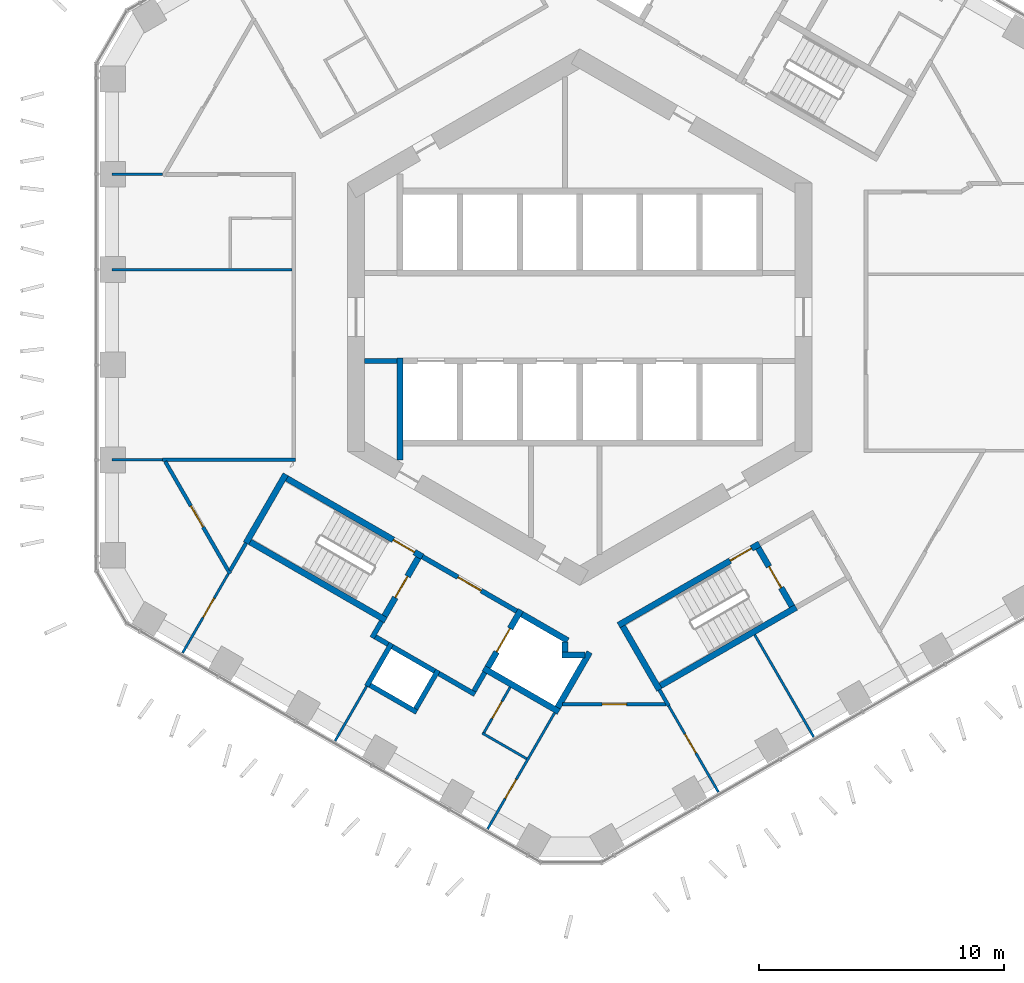
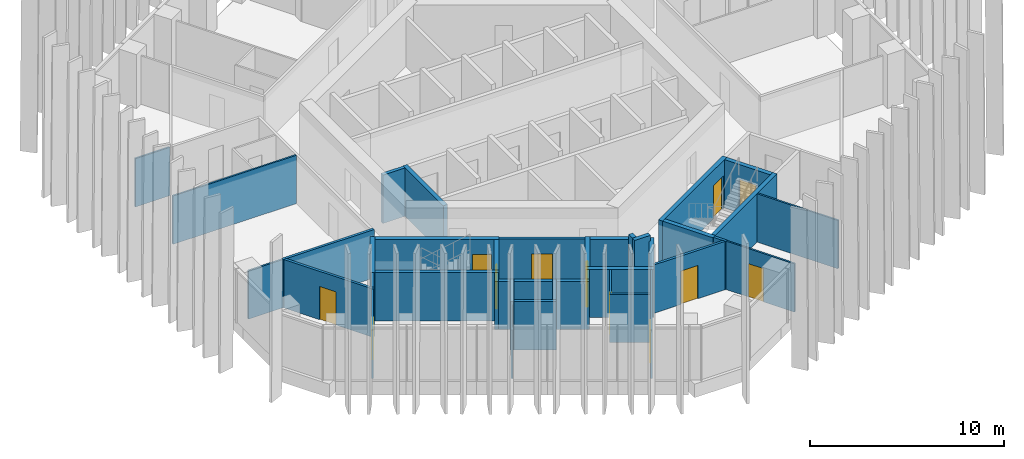
# One storey, part 12 of 19: 40 walls, 12 doors, 12 openings.
"""IFC4 building model written with IfcOpenShell, lengths in metres."""

import ifcopenshell
import ifcopenshell.guid

model = None  # the IFC model being written
_history = None  # IfcOwnerHistory: only IFC2X3 demands one
_inside = {}  # id of a spatial element -> (the spatial element, [elements in it])
_under = {}  # id of a project, library or spatial element -> (it, [spatial elements below it])
_declared = {}  # id of a project -> (the project, [libraries it declares])
_typed = {}  # id of a type object -> (the type object, [elements of that type])
_made_of = {}  # id of a material, layer set ... -> (it, [elements and type objects made of it])


def new_model(schema):
    """Start an empty IFC model of exactly this schema.

    Asked for "IFC4X3", IfcOpenShell would pick the latest addendum, in which some entities
    have other attributes; the version numbers below select the first issue.
    IFC2X3 requires an IfcOwnerHistory on every rooted entity: one is made here for all.
    """
    global model, _history
    if schema == "IFC4X3":
        model = ifcopenshell.file(schema_version=(4, 3, 0, 0))
    else:
        model = ifcopenshell.file(schema=schema)
    _inside.clear()
    _under.clear()
    _declared.clear()
    _typed.clear()
    _made_of.clear()
    _history = None
    if model.schema == "IFC2X3":
        org = make("IfcOrganization", Name="unknown")
        user = make(
            "IfcPersonAndOrganization",
            ThePerson=make("IfcPerson", FamilyName="unknown"),
            TheOrganization=org,
        )
        app = make(
            "IfcApplication",
            ApplicationDeveloper=org,
            Version="unknown",
            ApplicationFullName="unknown",
            ApplicationIdentifier="unknown",
        )
        _history = make(
            "IfcOwnerHistory",
            OwningUser=user,
            OwningApplication=app,
            ChangeAction="ADDED",
            CreationDate=0,
        )
    return model


def make(cls, **values):
    """One entity of the class cls with the attributes given. An attribute that is None is left unset."""
    return model.create_entity(
        cls, **{name: value for name, value in values.items() if value is not None}
    )


def rooted(cls, **values):
    """An entity with a GlobalId (a new one), such as an element, a storey or a relation."""
    return make(cls, GlobalId=ifcopenshell.guid.new(), OwnerHistory=_history, **values)


def si_unit(unit_type, name, prefix=None):
    """IfcSIUnit, for example si_unit("LENGTHUNIT", "METRE", prefix="MILLI")."""
    return make("IfcSIUnit", UnitType=unit_type, Prefix=prefix, Name=name)


def assignment(units):
    """IfcUnitAssignment: the units of a project."""
    return None if units is None else make("IfcUnitAssignment", Units=units)


def point(xyz):
    """IfcCartesianPoint."""
    return None if xyz is None else make("IfcCartesianPoint", Coordinates=xyz)


def direction(xyz):
    """IfcDirection."""
    return None if xyz is None else make("IfcDirection", DirectionRatios=xyz)


def frame(location, z_axis=None, x_axis=None):
    """IfcAxis2Placement3D, a coordinate frame: its origin and axes. An axis left out is left unset."""
    return make(
        "IfcAxis2Placement3D",
        Location=point(location),
        Axis=direction(z_axis),
        RefDirection=direction(x_axis),
    )


def frame_2d(location, x_axis=None):
    """IfcAxis2Placement2D, a coordinate frame in the plane: its origin and x axis."""
    return make(
        "IfcAxis2Placement2D", Location=point(location), RefDirection=direction(x_axis)
    )


def origin():
    """The frame at (0, 0, 0) with its axes left unset."""
    return frame((0.0, 0.0, 0.0))


def place(relative_to, where):
    """IfcLocalPlacement: puts the frame where relative to a parent placement (None: the world)."""
    return make(
        "IfcLocalPlacement", PlacementRelTo=relative_to, RelativePlacement=where
    )


def context(
    kind, dimensions, precision=None, world=None, true_north=None, identifier=None
):
    """IfcGeometricRepresentationContext, for example the 3D "Model" context."""
    return make(
        "IfcGeometricRepresentationContext",
        ContextIdentifier=identifier,
        ContextType=kind,
        CoordinateSpaceDimension=dimensions,
        Precision=precision,
        WorldCoordinateSystem=world,
        TrueNorth=true_north,
    )


def subcontext(parent, identifier, kind, view, scale=None):
    """IfcGeometricRepresentationSubContext, for example "Body" below "Model"."""
    return make(
        "IfcGeometricRepresentationSubContext",
        ContextIdentifier=identifier,
        ContextType=kind,
        ParentContext=parent,
        TargetScale=scale,
        TargetView=view,
    )


def project(units=None, contexts=None):
    """IfcProject with its units and contexts."""
    return rooted(
        "IfcProject",
        Name="project",
        RepresentationContexts=contexts,
        UnitsInContext=assignment(units),
    )


def spatial(cls, under=None, at=None, **own):
    """A site, building, storey or space (cls), placed at a placement, below another one or the project."""
    s = rooted(cls, ObjectPlacement=at, **own)
    if under is not None:
        _under.setdefault(under.id(), (under, []))[1].append(s)
    return s


def profile(cls, at=None, kind="AREA", **sizes):
    """A parametric profile (cls). Its sizes go by their IFC names, for example OverallWidth=200.0."""
    return make(cls, ProfileType=kind, Position=at, **sizes)


def rectangle(**sizes):
    """IfcRectangleProfileDef."""
    return profile("IfcRectangleProfileDef", **sizes)


def extrude(swept, where, along, depth):
    """IfcExtrudedAreaSolid: the profile swept, set in the frame where, extruded along a direction by depth."""
    return make(
        "IfcExtrudedAreaSolid",
        SweptArea=swept,
        Position=where,
        ExtrudedDirection=direction(along),
        Depth=depth,
    )


def shape(context_of_items, identifier, shape_type, items):
    """IfcShapeRepresentation: the items that make up one representation, for example the "Body"."""
    return make(
        "IfcShapeRepresentation",
        ContextOfItems=context_of_items,
        RepresentationIdentifier=identifier,
        RepresentationType=shape_type,
        Items=items,
    )


def material(Name=None, Category=None):
    """IfcMaterial."""
    return make("IfcMaterial", Name=Name, Category=Category)


def layer(
    of_material, thickness, ventilated=None, Name=None, Category=None, Priority=None
):
    """IfcMaterialLayer: one layer of a wall or slab, of a material (None: an air gap)."""
    return make(
        "IfcMaterialLayer",
        Material=of_material,
        LayerThickness=thickness,
        IsVentilated=ventilated,
        Name=Name,
        Category=Category,
        Priority=Priority,
    )


def layer_set(layers, Name=None):
    """IfcMaterialLayerSet."""
    return make("IfcMaterialLayerSet", MaterialLayers=layers, LayerSetName=Name)


def made_of(thing, what):
    """Note that an element or type object is made of a material, layer set ...; save() writes the relation."""
    if what is not None:
        _made_of.setdefault(what.id(), (what, []))[1].append(thing)
    return thing


def type_object(cls, material=None, **own):
    """A type object (cls), such as IfcWallType, which elements share."""
    return made_of(rooted(cls, **own), material)


def element(
    cls,
    number,
    at=None,
    inside=None,
    cuts=None,
    type_object=None,
    material=None,
    context=None,
    identifier="Body",
    shape_type=None,
    held_by="IfcProductDefinitionShape",
    body=None,
    shapes=None,
    **own,
):
    """One element of the class cls, such as IfcWall. Its Tag is "e" and its number.

    at: its placement. inside: the storey or other place that contains it. cuts: it is an
    opening in that element (IfcRelVoidsElement). A single representation is given by context,
    identifier, shape_type and body (its items); several are given by shapes. held_by: the class
    of the entity that holds the representations. save() writes the other relations.
    """
    e = rooted(cls, Tag="e%d" % number, ObjectPlacement=at, **own)
    if body is not None:
        shapes = [shape(context, identifier, shape_type, body)]
    if shapes is not None:
        e.Representation = make(held_by, Representations=shapes)
    if inside is not None:
        _inside.setdefault(inside.id(), (inside, []))[1].append(e)
    if cuts is not None:
        rooted(
            "IfcRelVoidsElement", RelatingBuildingElement=cuts, RelatedOpeningElement=e
        )
    if type_object is not None:
        _typed.setdefault(type_object.id(), (type_object, []))[1].append(e)
    return made_of(e, material)


def fill(opening, filler):
    """IfcRelFillsElement: the door or window that sits in an opening."""
    return rooted(
        "IfcRelFillsElement",
        RelatingOpeningElement=opening,
        RelatedBuildingElement=filler,
    )


def aggregate(whole, parts):
    """IfcRelAggregates: a whole, such as a stair, and the parts it consists of."""
    return rooted("IfcRelAggregates", RelatingObject=whole, RelatedObjects=parts)


def save(model, path):
    """Write the relations noted so far, then the file.

    IfcRelAggregates (storeys below a building ...), IfcRelContainedInSpatialStructure (elements
    in a storey), IfcRelDefinesByType, IfcRelAssociatesMaterial and IfcRelDeclares: one each for
    every whole, place, type object, material and project.
    """
    for whole, parts in _under.values():
        aggregate(whole, parts)
    for where, things in _inside.values():
        rooted(
            "IfcRelContainedInSpatialStructure",
            RelatedElements=things,
            RelatingStructure=where,
        )
    for kind, things in _typed.values():
        rooted("IfcRelDefinesByType", RelatedObjects=things, RelatingType=kind)
    for what, things in _made_of.values():
        rooted("IfcRelAssociatesMaterial", RelatedObjects=things, RelatingMaterial=what)
    for by, libraries in _declared.values():
        rooted("IfcRelDeclares", RelatingContext=by, RelatedDefinitions=libraries)
    model.write(path)


model = new_model("IFC4")

# Units and contexts
model_context = context("Model", 3, precision=1e-05, world=origin(), true_north=direction((0.0, 1.0)))
body_context = subcontext(model_context, "Body", "Model", "MODEL_VIEW")
ifc_project = project(units=[si_unit("LENGTHUNIT", "METRE"), si_unit("AREAUNIT", "SQUARE_METRE"), si_unit("VOLUMEUNIT", "CUBIC_METRE"), si_unit("PLANEANGLEUNIT", "RADIAN"), si_unit("MASSUNIT", "GRAM", prefix="KILO")], contexts=[model_context])

# Site, building, storey
site_placement = place(None, origin())
site = spatial("IfcSite", under=ifc_project, at=site_placement, CompositionType="ELEMENT")
building_placement = place(site_placement, origin())
building = spatial("IfcBuilding", under=site, at=building_placement, Name="Ayvan Gate Tower", CompositionType="ELEMENT")
storey_placement = place(building_placement, frame((0.0, 0.0, 103.5)))
storey = spatial("IfcBuildingStorey", under=building, at=storey_placement, Name="L27", CompositionType="ELEMENT", Elevation=103.5)

# Wall
ifc_material_1 = material(Name="Plasterboard on steel stud", Category="steel")
ifc_layer_1 = layer(ifc_material_1, 0.14990234375)
ifc_layer_set_1 = layer_set([ifc_layer_1], Name="Plasterboard on steel stud")
wall_type_1 = type_object("IfcWallType", Name="WT-CORR-150", PredefinedType="PARTITIONING", material=ifc_layer_set_1)
wall_1_placement = place(storey_placement, frame((-17.064453125, -5.833984375, 0.0), z_axis=(0.0, 0.0, 1.0), x_axis=(1.0, 0.0, 0.0)))
element("IfcWall", 1, at=wall_1_placement, inside=storey, type_object=wall_type_1, Name="IW-L27-000", PredefinedType="PARTITIONING", context=body_context, shape_type="SweptSolid", body=[
    extrude(rectangle(XDim=5.439453125, YDim=0.14990234375, at=frame_2d((2.7197265625, 0.0))), origin(), (0.0, 0.0, 1.0), 3.050048828125),
])

# Wall, opening, door
wall_2_placement = place(storey_placement, frame((-14.29833984375, -10.495361328125, 0.0), z_axis=(0.0, 0.0, 1.0), x_axis=(-0.499993231937, 0.866029311292, 0.0)))
wall_2 = element("IfcWall", 2, at=wall_2_placement, inside=storey, type_object=wall_type_1, Name="IW-L27-005", PredefinedType="PARTITIONING", context=body_context, shape_type="SweptSolid", body=[
    extrude(rectangle(XDim=5.30712890625, YDim=0.14990234375, at=frame_2d((2.653564453125, 0.0))), origin(), (0.0, 0.0, 1.0), 3.050048828125),
])
opening_1_placement = place(wall_2_placement, frame((2.20849609375, 0.0, 0.0)))
opening_1 = element("IfcOpeningElement", 3, at=opening_1_placement, cuts=wall_2, Name="Opening L27-D28", PredefinedType="OPENING", context=body_context, shape_type="SweptSolid", body=[
    extrude(rectangle(XDim=1.0, YDim=2.10009765625, at=frame_2d((0.5, 1.050048828125))), frame((0.0, 0.0849609375, 0.0), z_axis=(0.0, -1.0, 0.0), x_axis=(1.0, 0.0, 0.0)), (0.0, 0.0, 1.0), 0.169921875),
])
ifc_material_2 = material(Name="Timber door leaf", Category="wood")
door_type_1 = type_object("IfcDoorType", Name="DT-1000", OperationType="NOTDEFINED", PredefinedType="DOOR", material=ifc_material_2)
door_1_placement = place(opening_1_placement, origin())
door_1 = element("IfcDoor", 4, at=door_1_placement, inside=storey, type_object=door_type_1, Name="ID-L27-028", OperationType="SINGLE_SWING_LEFT", OverallHeight=2.10009765625, OverallWidth=1.0, PredefinedType="DOOR", context=body_context, shape_type="SweptSolid", body=[
    extrude(rectangle(XDim=1.0, YDim=2.10009765625, at=frame_2d((0.5, 1.050048828125))), frame((0.0, 0.02490234375, 0.0), z_axis=(0.0, -1.0, 0.0), x_axis=(1.0, 0.0, 0.0)), (0.0, 0.0, 1.0), 0.050048828125),
])
fill(opening_1, door_1)

# Walls
wall_3_placement = place(storey_placement, frame((-13.647705078125, -9.23876953125, 0.0), z_axis=(0.0, 0.0, 1.0), x_axis=(-0.500074377092, -0.865982457891, 0.0)))
element("IfcWall", 5, at=wall_3_placement, inside=storey, type_object=wall_type_1, Name="IW-L27-010", PredefinedType="PARTITIONING", context=body_context, shape_type="SweptSolid", body=[
    extrude(rectangle(XDim=1.301025390625, YDim=0.14990234375, at=frame_2d((0.650390625, 0.0))), origin(), (0.0, 0.0, 1.0), 3.050048828125),
])
wall_4_placement = place(storey_placement, frame((3.255615234375, -15.23876953125, 0.0), z_axis=(0.0, 0.0, 1.0), x_axis=(0.49988045057, -0.866094414679, 0.0)))
element("IfcWall", 6, at=wall_4_placement, inside=storey, type_object=wall_type_1, Name="IW-L27-072", PredefinedType="PARTITIONING", context=body_context, shape_type="SweptSolid", body=[
    extrude(rectangle(XDim=0.758056640625, YDim=0.14990234375, at=frame_2d((0.37890625, 0.0))), origin(), (0.0, 0.0, 1.0), 3.050048828125),
])

# Wall, opening, door
wall_5_placement = place(storey_placement, frame((3.522216796875, -15.830322265625, 0.0), z_axis=(0.0, 0.0, 1.0), x_axis=(-1.0, 0.0, 0.0)))
wall_5 = element("IfcWall", 7, at=wall_5_placement, inside=storey, type_object=wall_type_1, Name="IW-L27-075", PredefinedType="PARTITIONING", context=body_context, shape_type="SweptSolid", body=[
    extrude(rectangle(XDim=4.222900390625, YDim=0.14990234375, at=frame_2d((2.111328125, 0.0))), origin(), (0.0, 0.0, 1.0), 3.050048828125),
])
opening_2_placement = place(wall_5_placement, frame((1.611328125, 0.0, 0.0)))
opening_2 = element("IfcOpeningElement", 8, at=opening_2_placement, cuts=wall_5, Name="Opening L27-D30", PredefinedType="OPENING", context=body_context, shape_type="SweptSolid", body=[
    extrude(rectangle(XDim=1.0, YDim=2.10009765625, at=frame_2d((0.5, 1.050048828125))), frame((0.0, 0.0849609375, 0.0), z_axis=(0.0, -1.0, 0.0), x_axis=(1.0, 0.0, 0.0)), (0.0, 0.0, 1.0), 0.169921875),
])
door_2_placement = place(opening_2_placement, origin())
door_2 = element("IfcDoor", 9, at=door_2_placement, inside=storey, type_object=door_type_1, Name="ID-L27-030", OperationType="SINGLE_SWING_LEFT", OverallHeight=2.10009765625, OverallWidth=1.0, PredefinedType="DOOR", context=body_context, shape_type="SweptSolid", body=[
    extrude(rectangle(XDim=1.0, YDim=2.10009765625, at=frame_2d((0.5, 1.050048828125))), frame((0.0, 0.02490234375, 0.0), z_axis=(0.0, -1.0, 0.0), x_axis=(1.0, 0.0, 0.0)), (0.0, 0.0, 1.0), 0.050048828125),
])
fill(opening_2, door_2)

# Walls
ifc_layer_2 = layer(ifc_material_1, 0.10009765625)
ifc_layer_set_2 = layer_set([ifc_layer_2], Name="Plasterboard on steel stud")
wall_type_2 = type_object("IfcWallType", Name="WT-PART-100", PredefinedType="PARTITIONING", material=ifc_layer_set_2)
wall_6_placement = place(storey_placement, frame((-17.064453125, 5.833984375, 0.0), z_axis=(0.0, 0.0, 1.0), x_axis=(-1.0, 0.0, 0.0)))
element("IfcWall", 10, at=wall_6_placement, inside=storey, type_object=wall_type_2, Name="IW-L27-001", PredefinedType="PARTITIONING", context=body_context, shape_type="SweptSolid", body=[
    extrude(rectangle(XDim=2.06494140625, YDim=0.10009765625, at=frame_2d((1.032470703125, 0.0))), origin(), (0.0, 0.0, 1.0), 3.050048828125),
])
wall_7_placement = place(storey_placement, frame((-17.064208984375, -5.833984375, 0.0), z_axis=(0.0, 0.0, 1.0), x_axis=(-1.0, 0.0, 0.0)))
element("IfcWall", 11, at=wall_7_placement, inside=storey, type_object=wall_type_2, Name="IW-L27-003", PredefinedType="PARTITIONING", context=body_context, shape_type="SweptSolid", body=[
    extrude(rectangle(XDim=2.065185546875, YDim=0.10009765625, at=frame_2d((1.03271484375, 0.0))), origin(), (0.0, 0.0, 1.0), 3.050048828125),
])

# Wall, opening, door
wall_8_placement = place(storey_placement, frame((-14.373291015625, -10.495361328125, 0.0), z_axis=(0.0, 0.0, 1.0), x_axis=(-0.500017007625, -0.866015584205, 0.0)))
wall_8 = element("IfcWall", 12, at=wall_8_placement, inside=storey, type_object=wall_type_2, Name="IW-L27-006", PredefinedType="PARTITIONING", context=body_context, shape_type="SweptSolid", body=[
    extrude(rectangle(XDim=3.730712890625, YDim=0.10009765625, at=frame_2d((1.865234375, 0.0))), origin(), (0.0, 0.0, 1.0), 3.050048828125),
])
opening_3_placement = place(wall_8_placement, frame((1.15478515625, 0.0, 0.0)))
opening_3 = element("IfcOpeningElement", 13, at=opening_3_placement, cuts=wall_8, Name="Opening L27-D29", PredefinedType="OPENING", context=body_context, shape_type="SweptSolid", body=[
    extrude(rectangle(XDim=0.89990234375, YDim=2.10009765625, at=frame_2d((0.449951171875, 1.050048828125))), frame((0.0, 0.06005859375, 0.0), z_axis=(0.0, -1.0, 0.0), x_axis=(1.0, 0.0, 0.0)), (0.0, 0.0, 1.0), 0.1201171875),
])
door_type_2 = type_object("IfcDoorType", Name="DT-900", OperationType="NOTDEFINED", PredefinedType="DOOR", material=ifc_material_2)
door_3_placement = place(opening_3_placement, origin())
door_3 = element("IfcDoor", 14, at=door_3_placement, inside=storey, type_object=door_type_2, Name="ID-L27-029", OperationType="SINGLE_SWING_RIGHT", OverallHeight=2.10009765625, OverallWidth=0.89990234375, PredefinedType="DOOR", context=body_context, shape_type="SweptSolid", body=[
    extrude(rectangle(XDim=0.89990234375, YDim=2.10009765625, at=frame_2d((0.449951171875, 1.050048828125))), frame((0.0, 0.02490234375, 0.0), z_axis=(0.0, -1.0, 0.0), x_axis=(1.0, 0.0, 0.0)), (0.0, 0.0, 1.0), 0.050048828125),
])
fill(opening_3, door_3)

# Walls
wall_9_placement = place(storey_placement, frame((-19.12939453125, 1.944580078125, 0.0), z_axis=(0.0, 0.0, 1.0), x_axis=(1.0, 0.0, 0.0)))
element("IfcWall", 15, at=wall_9_placement, inside=storey, type_object=wall_type_2, Name="IW-L27-007", PredefinedType="PARTITIONING", context=body_context, shape_type="SweptSolid", body=[
    extrude(rectangle(XDim=7.3544921875, YDim=0.10009765625, at=frame_2d((3.67724609375, 0.0))), origin(), (0.0, 0.0, 1.0), 3.050048828125),
])
wall_10_placement = place(storey_placement, frame((-8.711181640625, -15.088134765625, 0.0), z_axis=(0.0, 0.0, 1.0), x_axis=(-0.500030472146, -0.866007809968, 0.0)))
element("IfcWall", 16, at=wall_10_placement, inside=storey, type_object=wall_type_2, Name="IW-L27-022", PredefinedType="PARTITIONING", context=body_context, shape_type="SweptSolid", body=[
    extrude(rectangle(XDim=2.584228515625, YDim=0.10009765625, at=frame_2d((1.2919921875, 0.0))), origin(), (0.0, 0.0, 1.0), 3.050048828125),
])
wall_11_placement = place(storey_placement, frame((-3.98779296875, -17.007080078125, 0.0), z_axis=(0.0, 0.0, 1.0), x_axis=(0.866059744384, -0.49994051562, 0.0)))
element("IfcWall", 17, at=wall_11_placement, inside=storey, type_object=wall_type_2, Name="IW-L27-041", PredefinedType="PARTITIONING", context=body_context, shape_type="SweptSolid", body=[
    extrude(rectangle(XDim=2.099853515625, YDim=0.10009765625, at=frame_2d((1.0498046875, 0.0))), origin(), (0.0, 0.0, 1.0), 3.050048828125),
])

# Wall, opening, door
wall_12_placement = place(storey_placement, frame((-3.767822265625, -20.92626953125, 0.0), z_axis=(0.0, 0.0, 1.0), x_axis=(0.499980760091, 0.866036511666, 0.0)))
wall_12 = element("IfcWall", 18, at=wall_12_placement, inside=storey, type_object=wall_type_2, Name="IW-L27-043", PredefinedType="PARTITIONING", context=body_context, shape_type="SweptSolid", body=[
    extrude(rectangle(XDim=5.481689453125, YDim=0.10009765625, at=frame_2d((2.74072265625, 0.0))), origin(), (0.0, 0.0, 1.0), 3.050048828125),
])
opening_4_placement = place(wall_12_placement, frame((1.4375, 0.0, 0.0)))
opening_4 = element("IfcOpeningElement", 19, at=opening_4_placement, cuts=wall_12, Name="Opening L27-D31", PredefinedType="OPENING", context=body_context, shape_type="SweptSolid", body=[
    extrude(rectangle(XDim=0.89990234375, YDim=2.10009765625, at=frame_2d((0.449951171875, 1.050048828125))), frame((0.0, 0.06005859375, 0.0), z_axis=(0.0, -1.0, 0.0), x_axis=(1.0, 0.0, 0.0)), (0.0, 0.0, 1.0), 0.1201171875),
])
door_4_placement = place(opening_4_placement, origin())
door_4 = element("IfcDoor", 20, at=door_4_placement, inside=storey, type_object=door_type_2, Name="ID-L27-031", OperationType="SINGLE_SWING_RIGHT", OverallHeight=2.10009765625, OverallWidth=0.89990234375, PredefinedType="DOOR", context=body_context, shape_type="SweptSolid", body=[
    extrude(rectangle(XDim=0.89990234375, YDim=2.10009765625, at=frame_2d((0.449951171875, 1.050048828125))), frame((0.0, 0.02490234375, 0.0), z_axis=(0.0, -1.0, 0.0), x_axis=(1.0, 0.0, 0.0)), (0.0, 0.0, 1.0), 0.050048828125),
])
fill(opening_4, door_4)

wall_13_placement = place(storey_placement, frame((-2.845703125, -15.12890625, 0.0), z_axis=(0.0, 0.0, 1.0), x_axis=(-0.499978313311, -0.866037924238, 0.0)))
wall_13 = element("IfcWall", 21, at=wall_13_placement, inside=storey, type_object=wall_type_2, Name="IW-L27-047", PredefinedType="PARTITIONING", context=body_context, shape_type="SweptSolid", body=[
    extrude(rectangle(XDim=2.1474609375, YDim=0.10009765625, at=frame_2d((1.07373046875, 0.0))), origin(), (0.0, 0.0, 1.0), 3.050048828125),
])
opening_5_placement = place(wall_13_placement, frame((0.673583984375, 0.0, 0.0)))
opening_5 = element("IfcOpeningElement", 22, at=opening_5_placement, cuts=wall_13, Name="Opening L27-D32", PredefinedType="OPENING", context=body_context, shape_type="SweptSolid", body=[
    extrude(rectangle(XDim=0.800048828125, YDim=2.10009765625, at=frame_2d((0.39990234375, 1.050048828125))), frame((0.0, 0.06005859375, 0.0), z_axis=(0.0, -1.0, 0.0), x_axis=(1.0, 0.0, 0.0)), (0.0, 0.0, 1.0), 0.1201171875),
])
door_type_3 = type_object("IfcDoorType", Name="DT-800", OperationType="NOTDEFINED", PredefinedType="DOOR", material=ifc_material_2)
door_5_placement = place(opening_5_placement, origin())
door_5 = element("IfcDoor", 23, at=door_5_placement, inside=storey, type_object=door_type_3, Name="ID-L27-032", OperationType="SINGLE_SWING_LEFT", OverallHeight=2.10009765625, OverallWidth=0.800048828125, PredefinedType="DOOR", context=body_context, shape_type="SweptSolid", body=[
    extrude(rectangle(XDim=0.800048828125, YDim=2.10009765625, at=frame_2d((0.39990234375, 1.050048828125))), frame((0.0, 0.02490234375, 0.0), z_axis=(0.0, -1.0, 0.0), x_axis=(1.0, 0.0, 0.0)), (0.0, 0.0, 1.0), 0.050048828125),
])
fill(opening_5, door_5)

wall_14_placement = place(storey_placement, frame((3.634521484375, -15.895263671875, 0.0), z_axis=(0.0, 0.0, 1.0), x_axis=(0.499999564052, -0.866025655479, 0.0)))
wall_14 = element("IfcWall", 24, at=wall_14_placement, inside=storey, type_object=wall_type_2, Name="IW-L27-076", PredefinedType="PARTITIONING", context=body_context, shape_type="SweptSolid", body=[
    extrude(rectangle(XDim=4.0673828125, YDim=0.10009765625, at=frame_2d((2.03369140625, 0.0))), origin(), (0.0, 0.0, 1.0), 3.050048828125),
])
opening_6_placement = place(wall_14_placement, frame((1.3232421875, 0.0, 0.0)))
opening_6 = element("IfcOpeningElement", 25, at=opening_6_placement, cuts=wall_14, Name="Opening L27-D33", PredefinedType="OPENING", context=body_context, shape_type="SweptSolid", body=[
    extrude(rectangle(XDim=0.89990234375, YDim=2.10009765625, at=frame_2d((0.449951171875, 1.050048828125))), frame((0.0, 0.06005859375, 0.0), z_axis=(0.0, -1.0, 0.0), x_axis=(1.0, 0.0, 0.0)), (0.0, 0.0, 1.0), 0.1201171875),
])
door_6_placement = place(opening_6_placement, origin())
door_6 = element("IfcDoor", 26, at=door_6_placement, inside=storey, type_object=door_type_2, Name="ID-L27-033", OperationType="SINGLE_SWING_RIGHT", OverallHeight=2.10009765625, OverallWidth=0.89990234375, PredefinedType="DOOR", context=body_context, shape_type="SweptSolid", body=[
    extrude(rectangle(XDim=0.89990234375, YDim=2.10009765625, at=frame_2d((0.449951171875, 1.050048828125))), frame((0.0, 0.02490234375, 0.0), z_axis=(0.0, -1.0, 0.0), x_axis=(1.0, 0.0, 0.0)), (0.0, 0.0, 1.0), 0.050048828125),
])
fill(opening_6, door_6)

# Walls
wall_15_placement = place(storey_placement, frame((7.152587890625, -12.98876953125, 0.0), z_axis=(0.0, 0.0, 1.0), x_axis=(0.500018799623, -0.866014549545, 0.0)))
element("IfcWall", 27, at=wall_15_placement, inside=storey, type_object=wall_type_2, Name="IW-L27-083", PredefinedType="PARTITIONING", context=body_context, shape_type="SweptSolid", body=[
    extrude(rectangle(XDim=4.825439453125, YDim=0.10009765625, at=frame_2d((2.41259765625, 0.0))), origin(), (0.0, 0.0, 1.0), 3.050048828125),
])
ifc_layer_3 = layer(ifc_material_1, 0.199951171875)
ifc_layer_set_3 = layer_set([ifc_layer_3], Name="Plasterboard on steel stud")
wall_type_3 = type_object("IfcWallType", Name="WT-PLUMB-200", PredefinedType="PLUMBINGWALL", material=ifc_layer_set_3)
wall_16_placement = place(storey_placement, frame((-8.711181640625, -15.088134765625, 0.0), z_axis=(0.0, 0.0, 1.0), x_axis=(0.500060350025, 0.865990557877, 0.0)))
element("IfcWall", 28, at=wall_16_placement, inside=storey, type_object=wall_type_3, Name="IW-L27-021", PredefinedType="PLUMBINGWALL", context=body_context, shape_type="SweptSolid", body=[
    extrude(rectangle(XDim=2.022216796875, YDim=0.199951171875, at=frame_2d((1.01123046875, 0.0))), origin(), (0.0, 0.0, 1.0), 3.050048828125),
])
wall_17_placement = place(storey_placement, frame((-6.669189453125, -16.151611328125, 0.0), z_axis=(0.0, 0.0, 1.0), x_axis=(-0.866035918664, 0.499981787252, 0.0)))
element("IfcWall", 29, at=wall_17_placement, inside=storey, type_object=wall_type_3, Name="IW-L27-031", PredefinedType="PLUMBINGWALL", context=body_context, shape_type="SweptSolid", body=[
    extrude(rectangle(XDim=2.2001953125, YDim=0.199951171875, at=frame_2d((1.10009765625, 0.0))), origin(), (0.0, 0.0, 1.0), 3.050048828125),
])
wall_18_placement = place(storey_placement, frame((-5.794677734375, -14.436767578125, 0.0), z_axis=(0.0, 0.0, 1.0), x_axis=(-0.500000789788, -0.8660249478, 0.0)))
element("IfcWall", 30, at=wall_18_placement, inside=storey, type_object=wall_type_3, Name="IW-L27-034", PredefinedType="PLUMBINGWALL", context=body_context, shape_type="SweptSolid", body=[
    extrude(rectangle(XDim=1.822265625, YDim=0.199951171875, at=frame_2d((0.9111328125, 0.0))), origin(), (0.0, 0.0, 1.0), 3.050048828125),
])
wall_19_placement = place(storey_placement, frame((-5.931396484375, -14.473388671875, 0.0), z_axis=(0.0, 0.0, 1.0), x_axis=(-0.866041268327, 0.499972520799, 0.0)))
element("IfcWall", 31, at=wall_19_placement, inside=storey, type_object=wall_type_3, Name="IW-L27-035", PredefinedType="PLUMBINGWALL", context=body_context, shape_type="SweptSolid", body=[
    extrude(rectangle(XDim=2.0, YDim=0.199951171875, at=frame_2d((1.0, 0.0))), origin(), (0.0, 0.0, 1.0), 3.050048828125),
])
ifc_layer_4 = layer(ifc_material_1, 0.199951171875)
ifc_layer_set_4 = layer_set([ifc_layer_4], Name="Plasterboard on steel stud")
wall_type_4 = type_object("IfcWallType", Name="WT-RATED-200", PredefinedType="PARTITIONING", material=ifc_layer_set_4)
wall_20_placement = place(storey_placement, frame((-8.492919921875, -13.110107421875, 0.0), z_axis=(0.0, 0.0, 1.0), x_axis=(0.500067724834, 0.865986299303, 0.0)))
element("IfcWall", 32, at=wall_20_placement, inside=storey, type_object=wall_type_4, Name="IW-L27-023", PredefinedType="PARTITIONING", context=body_context, shape_type="SweptSolid", body=[
    extrude(rectangle(XDim=0.775390625, YDim=0.199951171875, at=frame_2d((0.3876953125, 0.0))), origin(), (0.0, 0.0, 1.0), 3.050048828125),
])
wall_21_placement = place(storey_placement, frame((-7.83642578125, -13.373291015625, 0.0), z_axis=(0.0, 0.0, 1.0), x_axis=(-0.866232998003, 0.499640263761, 0.0)))
element("IfcWall", 33, at=wall_21_placement, inside=storey, type_object=wall_type_4, Name="IW-L27-025", PredefinedType="PARTITIONING", context=body_context, shape_type="SweptSolid", body=[
    extrude(rectangle(XDim=0.60009765625, YDim=0.199951171875, at=frame_2d((0.300048828125, 0.0))), origin(), (0.0, 0.0, 1.0), 3.050048828125),
])
wall_22_placement = place(storey_placement, frame((-7.474853515625, -1.800048828125, 0.0), z_axis=(0.0, 0.0, 1.0), x_axis=(-1.0, 0.0, 0.0)))
element("IfcWall", 34, at=wall_22_placement, inside=storey, type_object=wall_type_4, Name="IW-L27-030", PredefinedType="PARTITIONING", context=body_context, shape_type="SweptSolid", body=[
    extrude(rectangle(XDim=1.3251953125, YDim=0.199951171875, at=frame_2d((0.66259765625, 0.0))), origin(), (0.0, 0.0, 1.0), 3.050048828125),
])

# Wall, opening, door
wall_23_placement = place(storey_placement, frame((-6.4345703125, -9.794921875, 0.0), z_axis=(0.0, 0.0, 1.0), x_axis=(0.866012907634, -0.500021643343, 0.0)))
wall_23 = element("IfcWall", 35, at=wall_23_placement, inside=storey, type_object=wall_type_4, Name="IW-L27-033", PredefinedType="PARTITIONING", context=body_context, shape_type="SweptSolid", body=[
    extrude(rectangle(XDim=4.449951171875, YDim=0.199951171875, at=frame_2d((2.22509765625, 0.0))), origin(), (0.0, 0.0, 1.0), 3.050048828125),
])
opening_7_placement = place(wall_23_placement, frame((1.675048828125, 0.0, 0.0)))
opening_7 = element("IfcOpeningElement", 36, at=opening_7_placement, cuts=wall_23, Name="Opening L27-D12", PredefinedType="OPENING", context=body_context, shape_type="SweptSolid", body=[
    extrude(rectangle(XDim=1.10009765625, YDim=2.10009765625, at=frame_2d((0.550048828125, 1.050048828125))), frame((0.0, 0.10986328125, 0.0), z_axis=(0.0, -1.0, 0.0), x_axis=(1.0, 0.0, 0.0)), (0.0, 0.0, 1.0), 0.219970703125),
])
door_type_4 = type_object("IfcDoorType", Name="DT-1100", OperationType="NOTDEFINED", PredefinedType="DOOR", material=ifc_material_2)
door_7_placement = place(opening_7_placement, origin())
door_7 = element("IfcDoor", 37, at=door_7_placement, inside=storey, type_object=door_type_4, Name="ID-L27-012", OperationType="SINGLE_SWING_LEFT", OverallHeight=2.10009765625, OverallWidth=1.10009765625, PredefinedType="DOOR", context=body_context, shape_type="SweptSolid", body=[
    extrude(rectangle(XDim=1.10009765625, YDim=2.10009765625, at=frame_2d((0.550048828125, 1.050048828125))), frame((0.0, 0.02490234375, 0.0), z_axis=(0.0, -1.0, 0.0), x_axis=(1.0, 0.0, 0.0)), (0.0, 0.0, 1.0), 0.050048828125),
])
fill(opening_7, door_7)

# Walls
wall_24_placement = place(storey_placement, frame((-4.285888671875, -15.42333984375, 0.0), z_axis=(0.0, 0.0, 1.0), x_axis=(-0.866025371046, 0.500000056704, 0.0)))
element("IfcWall", 38, at=wall_24_placement, inside=storey, type_object=wall_type_4, Name="IW-L27-040", PredefinedType="PARTITIONING", context=body_context, shape_type="SweptSolid", body=[
    extrude(rectangle(XDim=1.7001953125, YDim=0.199951171875, at=frame_2d((0.85009765625, 0.0))), origin(), (0.0, 0.0, 1.0), 3.050048828125),
])
wall_25_placement = place(storey_placement, frame((-3.885009765625, -14.52880859375, 0.0), z_axis=(0.0, 0.0, 1.0), x_axis=(-0.499859285417, -0.866106630146, 0.0)))
element("IfcWall", 39, at=wall_25_placement, inside=storey, type_object=wall_type_4, Name="IW-L27-042", PredefinedType="PARTITIONING", context=body_context, shape_type="SweptSolid", body=[
    extrude(rectangle(XDim=0.875244140625, YDim=0.199951171875, at=frame_2d((0.4375, 0.0))), origin(), (0.0, 0.0, 1.0), 3.050048828125),
])
ifc_material_3 = material(Name="Concrete C50/60", Category="concrete")
ifc_layer_5 = layer(ifc_material_3, 0.25)
ifc_layer_set_5 = layer_set([ifc_layer_5], Name="Concrete C50/60")
wall_type_5 = type_object("IfcWallType", Name="WT-RC-250", PredefinedType="SHEAR", material=ifc_layer_set_5)
wall_26_placement = place(storey_placement, frame((-13.64794921875, -9.23876953125, 0.0), z_axis=(0.0, 0.0, 1.0), x_axis=(0.500017246033, 0.866015446554, 0.0)))
element("IfcWall", 40, at=wall_26_placement, inside=storey, type_object=wall_type_5, Name="IW-L27-009", PredefinedType="SHEAR", context=body_context, shape_type="SweptSolid", body=[
    extrude(rectangle(XDim=3.25, YDim=0.25, at=frame_2d((1.625, 0.0))), origin(), (0.0, 0.0, 1.0), 3.050048828125),
])

# Wall, opening, door
wall_27_placement = place(storey_placement, frame((-11.97705078125, -6.594970703125, 0.0), z_axis=(0.0, 0.0, 1.0), x_axis=(0.866025499775, -0.499999833739, 0.0)))
wall_27 = element("IfcWall", 41, at=wall_27_placement, inside=storey, type_object=wall_type_5, Name="IW-L27-012", PredefinedType="SHEAR", context=body_context, shape_type="SweptSolid", body=[
    extrude(rectangle(XDim=6.39990234375, YDim=0.25, at=frame_2d((3.199951171875, 0.0))), origin(), (0.0, 0.0, 1.0), 3.050048828125),
])
opening_8_placement = place(wall_27_placement, frame((5.02490234375, 0.0, 0.0)))
opening_8 = element("IfcOpeningElement", 42, at=opening_8_placement, cuts=wall_27, Name="Opening L27-D10", PredefinedType="OPENING", context=body_context, shape_type="SweptSolid", body=[
    extrude(rectangle(XDim=1.0, YDim=2.10009765625, at=frame_2d((0.5, 1.050048828125))), frame((0.0, 0.135009765625, 0.0), z_axis=(0.0, -1.0, 0.0), x_axis=(1.0, 0.0, 0.0)), (0.0, 0.0, 1.0), 0.27001953125),
])
door_8_placement = place(opening_8_placement, origin())
door_8 = element("IfcDoor", 43, at=door_8_placement, inside=storey, type_object=door_type_1, Name="ID-L27-010", OperationType="SINGLE_SWING_LEFT", OverallHeight=2.10009765625, OverallWidth=1.0, PredefinedType="DOOR", context=body_context, shape_type="SweptSolid", body=[
    extrude(rectangle(XDim=1.0, YDim=2.10009765625, at=frame_2d((0.5, 1.050048828125))), frame((0.0, 0.02490234375, 0.0), z_axis=(0.0, -1.0, 0.0), x_axis=(1.0, 0.0, 0.0)), (0.0, 0.0, 1.0), 0.050048828125),
])
fill(opening_8, door_8)

# Walls
wall_28_placement = place(storey_placement, frame((-7.9345703125, -12.39306640625, 0.0), z_axis=(0.0, 0.0, 1.0), x_axis=(-0.866025499775, 0.499999833739, 0.0)))
element("IfcWall", 44, at=wall_28_placement, inside=storey, type_object=wall_type_5, Name="IW-L27-024", PredefinedType="SHEAR", context=body_context, shape_type="SweptSolid", body=[
    extrude(rectangle(XDim=6.39990234375, YDim=0.25, at=frame_2d((3.199951171875, 0.0))), origin(), (0.0, 0.0, 1.0), 3.050048828125),
])
wall_29_placement = place(storey_placement, frame((-7.35009765625, -5.845703125, 0.0), z_axis=(0.0, 0.0, 1.0), x_axis=(0.0, 1.0, 0.0)))
element("IfcWall", 45, at=wall_29_placement, inside=storey, type_object=wall_type_5, Name="IW-L27-027", PredefinedType="SHEAR", context=body_context, shape_type="SweptSolid", body=[
    extrude(rectangle(XDim=4.170654296875, YDim=0.25, at=frame_2d((2.08544921875, 0.0))), origin(), (0.0, 0.0, 1.0), 3.050048828125),
])

# Wall, opening, door
wall_30_placement = place(storey_placement, frame((-6.605224609375, -9.8408203125, 0.0), z_axis=(0.0, 0.0, 1.0), x_axis=(-0.499996545922, -0.866027397988, 0.0)))
wall_30 = element("IfcWall", 46, at=wall_30_placement, inside=storey, type_object=wall_type_5, Name="IW-L27-032", PredefinedType="SHEAR", context=body_context, shape_type="SweptSolid", body=[
    extrude(rectangle(XDim=2.75, YDim=0.25, at=frame_2d((1.375, 0.0))), origin(), (0.0, 0.0, 1.0), 3.050048828125),
])
opening_9_placement = place(wall_30_placement, frame((0.875, 0.0, 0.0)))
opening_9 = element("IfcOpeningElement", 47, at=opening_9_placement, cuts=wall_30, Name="Opening L27-D11", PredefinedType="OPENING", context=body_context, shape_type="SweptSolid", body=[
    extrude(rectangle(XDim=1.0, YDim=2.10009765625, at=frame_2d((0.5, 1.050048828125))), frame((0.0, 0.135009765625, 0.0), z_axis=(0.0, -1.0, 0.0), x_axis=(1.0, 0.0, 0.0)), (0.0, 0.0, 1.0), 0.27001953125),
])
door_9_placement = place(opening_9_placement, origin())
door_9 = element("IfcDoor", 48, at=door_9_placement, inside=storey, type_object=door_type_1, Name="ID-L27-011", OperationType="SINGLE_SWING_RIGHT", OverallHeight=2.10009765625, OverallWidth=1.0, PredefinedType="DOOR", context=body_context, shape_type="SweptSolid", body=[
    extrude(rectangle(XDim=1.0, YDim=2.10009765625, at=frame_2d((0.5, 1.050048828125))), frame((0.0, 0.02490234375, 0.0), z_axis=(0.0, -1.0, 0.0), x_axis=(1.0, 0.0, 0.0)), (0.0, 0.0, 1.0), 0.050048828125),
])
fill(opening_9, door_9)

# Wall
wall_31_placement = place(storey_placement, frame((-3.930908203125, -14.3583984375, 0.0), z_axis=(0.0, 0.0, 1.0), x_axis=(0.8660424351, -0.499970499736, 0.0)))
element("IfcWall", 49, at=wall_31_placement, inside=storey, type_object=wall_type_5, Name="IW-L27-048", PredefinedType="SHEAR", context=body_context, shape_type="SweptSolid", body=[
    extrude(rectangle(XDim=3.550048828125, YDim=0.25, at=frame_2d((1.77490234375, 0.0))), origin(), (0.0, 0.0, 1.0), 3.050048828125),
])

# Wall, opening, door
wall_32_placement = place(storey_placement, frame((-2.409912109375, -11.97412109375, 0.0), z_axis=(0.0, 0.0, 1.0), x_axis=(-0.50000943426, -0.866019956843, 0.0)))
wall_32 = element("IfcWall", 50, at=wall_32_placement, inside=storey, type_object=wall_type_5, Name="IW-L27-049", PredefinedType="SHEAR", context=body_context, shape_type="SweptSolid", body=[
    extrude(rectangle(XDim=2.7001953125, YDim=0.25, at=frame_2d((1.35009765625, 0.0))), origin(), (0.0, 0.0, 1.0), 3.050048828125),
])
opening_10_placement = place(wall_32_placement, frame((0.87744140625, 0.0, 0.0)))
opening_10 = element("IfcOpeningElement", 51, at=opening_10_placement, cuts=wall_32, Name="Opening L27-LD-FF2", PredefinedType="OPENING", context=body_context, shape_type="SweptSolid", body=[
    extrude(rectangle(XDim=1.10009765625, YDim=2.10009765625, at=frame_2d((0.550048828125, 1.050048828125))), frame((0.0, 0.135009765625, 0.0), z_axis=(0.0, -1.0, 0.0), x_axis=(1.0, 0.0, 0.0)), (0.0, 0.0, 1.0), 0.27001953125),
])
ifc_material_4 = material(Name="Stainless steel landing door", Category="steel")
door_type_5 = type_object("IfcDoorType", Name="DT-LANDING-1100", OperationType="SLIDING_TO_LEFT", PredefinedType="DOOR", material=ifc_material_4)
door_10_placement = place(opening_10_placement, origin())
door_10 = element("IfcDoor", 52, at=door_10_placement, inside=storey, type_object=door_type_5, Name="ID-L27-013", OperationType="SLIDING_TO_LEFT", OverallHeight=2.10009765625, OverallWidth=1.10009765625, PredefinedType="DOOR", context=body_context, shape_type="SweptSolid", body=[
    extrude(rectangle(XDim=1.10009765625, YDim=2.10009765625, at=frame_2d((0.550048828125, 1.050048828125))), frame((0.0, 0.02490234375, 0.0), z_axis=(0.0, -1.0, 0.0), x_axis=(1.0, 0.0, 0.0)), (0.0, 0.0, 1.0), 0.050048828125),
])
fill(opening_10, door_10)

# Walls
wall_33_placement = place(storey_placement, frame((-2.3642578125, -12.14501953125, 0.0), z_axis=(0.0, 0.0, 1.0), x_axis=(0.86603892542, -0.499976579108, 0.0)))
element("IfcWall", 53, at=wall_33_placement, inside=storey, type_object=wall_type_5, Name="IW-L27-050", PredefinedType="SHEAR", context=body_context, shape_type="SweptSolid", body=[
    extrude(rectangle(XDim=2.162109375, YDim=0.25, at=frame_2d((1.0810546875, 0.0))), origin(), (0.0, 0.0, 1.0), 3.050048828125),
])
wall_34_placement = place(storey_placement, frame((-0.902099609375, -15.96240234375, 0.0), z_axis=(0.0, 0.0, 1.0), x_axis=(0.499981517636, 0.866036074319, 0.0)))
element("IfcWall", 54, at=wall_34_placement, inside=storey, type_object=wall_type_5, Name="IW-L27-055", PredefinedType="SHEAR", context=body_context, shape_type="SweptSolid", body=[
    extrude(rectangle(XDim=2.6103515625, YDim=0.25, at=frame_2d((1.30517578125, 0.0))), origin(), (0.0, 0.0, 1.0), 3.050048828125),
])
wall_35_placement = place(storey_placement, frame((-0.72509765625, -13.81005859375, 0.0), z_axis=(0.0, 0.0, 1.0), x_axis=(1.0, 0.0, 0.0)))
element("IfcWall", 55, at=wall_35_placement, inside=storey, type_object=wall_type_5, Name="IW-L27-056", PredefinedType="SHEAR", context=body_context, shape_type="SweptSolid", body=[
    extrude(rectangle(XDim=0.940673828125, YDim=0.25, at=frame_2d((0.47021484375, 0.0))), origin(), (0.0, 0.0, 1.0), 3.39990234375),
])
wall_36_placement = place(storey_placement, frame((-0.60009765625, -13.28857421875, 0.0), z_axis=(0.0, 0.0, 1.0), x_axis=(0.0, -1.0, 0.0)))
element("IfcWall", 56, at=wall_36_placement, inside=storey, type_object=wall_type_5, Name="IW-L27-057", PredefinedType="SHEAR", context=body_context, shape_type="SweptSolid", body=[
    extrude(rectangle(XDim=0.396484375, YDim=0.25, at=frame_2d((0.1982421875, 0.0))), origin(), (0.0, 0.0, 1.0), 3.39990234375),
])

# Wall, opening, door
wall_37_placement = place(storey_placement, frame((1.584716796875, -12.594970703125, 0.0), z_axis=(0.0, 0.0, 1.0), x_axis=(0.866036417653, 0.499980922934, 0.0)))
wall_37 = element("IfcWall", 57, at=wall_37_placement, inside=storey, type_object=wall_type_5, Name="IW-L27-067", PredefinedType="SHEAR", context=body_context, shape_type="SweptSolid", body=[
    extrude(rectangle(XDim=6.650146484375, YDim=0.25, at=frame_2d((3.3251953125, 0.0))), origin(), (0.0, 0.0, 1.0), 3.050048828125),
])
opening_11_placement = place(wall_37_placement, frame((5.27490234375, 0.0, 0.0)))
opening_11 = element("IfcOpeningElement", 58, at=opening_11_placement, cuts=wall_37, Name="Opening L27-D14", PredefinedType="OPENING", context=body_context, shape_type="SweptSolid", body=[
    extrude(rectangle(XDim=1.0, YDim=2.10009765625, at=frame_2d((0.5, 1.050048828125))), frame((0.0, 0.135009765625, 0.0), z_axis=(0.0, -1.0, 0.0), x_axis=(1.0, 0.0, 0.0)), (0.0, 0.0, 1.0), 0.27001953125),
])
door_11_placement = place(opening_11_placement, origin())
door_11 = element("IfcDoor", 59, at=door_11_placement, inside=storey, type_object=door_type_1, Name="ID-L27-014", OperationType="SINGLE_SWING_LEFT", OverallHeight=2.10009765625, OverallWidth=1.0, PredefinedType="DOOR", context=body_context, shape_type="SweptSolid", body=[
    extrude(rectangle(XDim=1.0, YDim=2.10009765625, at=frame_2d((0.5, 1.050048828125))), frame((0.0, 0.02490234375, 0.0), z_axis=(0.0, -1.0, 0.0), x_axis=(1.0, 0.0, 0.0)), (0.0, 0.0, 1.0), 0.050048828125),
])
fill(opening_11, door_11)

# Walls
wall_38_placement = place(storey_placement, frame((3.255615234375, -15.23876953125, 0.0), z_axis=(0.0, 0.0, 1.0), x_axis=(-0.50002537861, 0.866010750942, 0.0)))
element("IfcWall", 60, at=wall_38_placement, inside=storey, type_object=wall_type_5, Name="IW-L27-073", PredefinedType="SHEAR", context=body_context, shape_type="SweptSolid", body=[
    extrude(rectangle(XDim=2.999755859375, YDim=0.25, at=frame_2d((1.5, 0.0))), origin(), (0.0, 0.0, 1.0), 3.050048828125),
])
wall_39_placement = place(storey_placement, frame((3.30126953125, -15.068115234375, 0.0), z_axis=(0.0, 0.0, 1.0), x_axis=(0.866035036182, 0.499983315828, 0.0)))
element("IfcWall", 61, at=wall_39_placement, inside=storey, type_object=wall_type_5, Name="IW-L27-084", PredefinedType="SHEAR", context=body_context, shape_type="SweptSolid", body=[
    extrude(rectangle(XDim=6.400146484375, YDim=0.25, at=frame_2d((3.2001953125, 0.0))), origin(), (0.0, 0.0, 1.0), 3.050048828125),
])

# Wall, opening, door
wall_40_placement = place(storey_placement, frame((7.298095703125, -9.44091796875, 0.0), z_axis=(0.0, 0.0, 1.0), x_axis=(0.500034990121, -0.866005201286, 0.0)))
wall_40 = element("IfcWall", 62, at=wall_40_placement, inside=storey, type_object=wall_type_5, Name="IW-L27-085", PredefinedType="SHEAR", context=body_context, shape_type="SweptSolid", body=[
    extrude(rectangle(XDim=2.749755859375, YDim=0.25, at=frame_2d((1.375, 0.0))), origin(), (0.0, 0.0, 1.0), 3.050048828125),
])
opening_12_placement = place(wall_40_placement, frame((0.875, 0.0, 0.0)))
opening_12 = element("IfcOpeningElement", 63, at=opening_12_placement, cuts=wall_40, Name="Opening L27-D16", PredefinedType="OPENING", context=body_context, shape_type="SweptSolid", body=[
    extrude(rectangle(XDim=1.0, YDim=2.10009765625, at=frame_2d((0.5, 1.050048828125))), frame((0.0, 0.135009765625, 0.0), z_axis=(0.0, -1.0, 0.0), x_axis=(1.0, 0.0, 0.0)), (0.0, 0.0, 1.0), 0.27001953125),
])
door_12_placement = place(opening_12_placement, origin())
door_12 = element("IfcDoor", 64, at=door_12_placement, inside=storey, type_object=door_type_1, Name="ID-L27-016", OperationType="SINGLE_SWING_LEFT", OverallHeight=2.10009765625, OverallWidth=1.0, PredefinedType="DOOR", context=body_context, shape_type="SweptSolid", body=[
    extrude(rectangle(XDim=1.0, YDim=2.10009765625, at=frame_2d((0.5, 1.050048828125))), frame((0.0, 0.02490234375, 0.0), z_axis=(0.0, -1.0, 0.0), x_axis=(1.0, 0.0, 0.0)), (0.0, 0.0, 1.0), 0.050048828125),
])
fill(opening_12, door_12)

save(model, "model.ifc")
